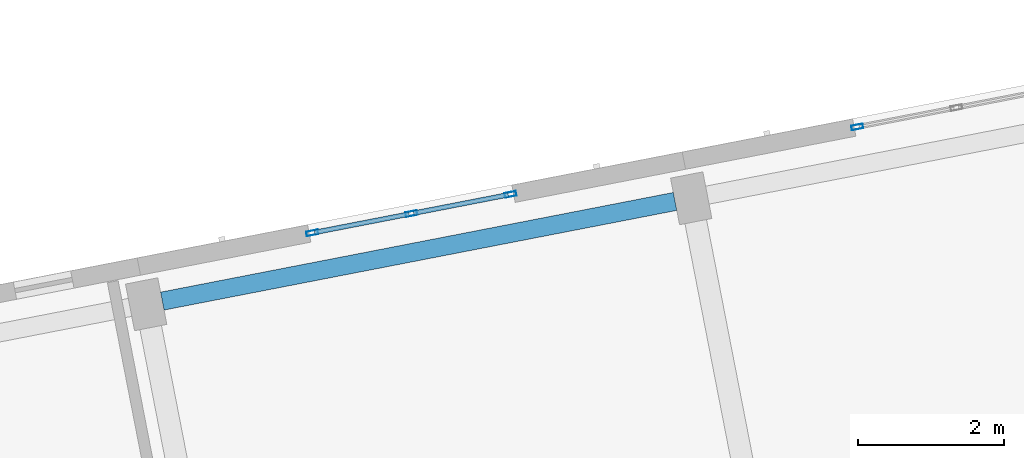
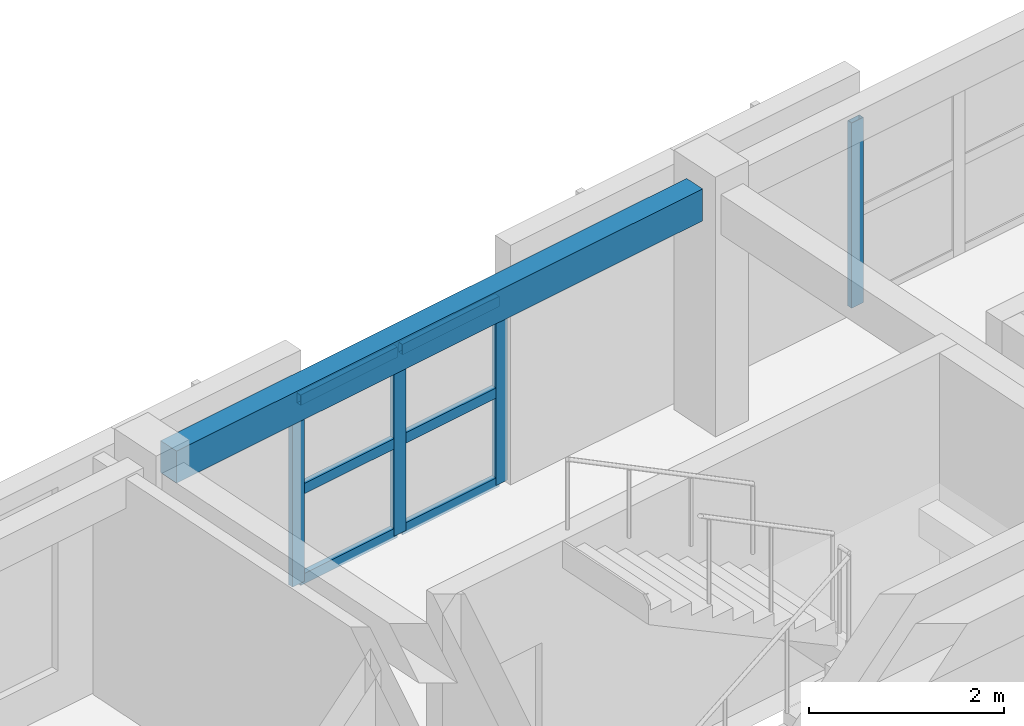
# One storey, part 8 of 65: 10 members, 1 beam, 2 elements without a shape of their own.
"""IFC4 building model written with IfcOpenShell, lengths in metres."""

from ifc_helpers import new_model, si_unit, direction, frame, origin, origin_2d, place, context, subcontext, project, spatial, rectangle, hollow_rectangle, extrude, material, material_profile, profile_set, type_object, element, aggregate, save


model = new_model("IFC4")

# Units and contexts
model_context = context("Model", 3, precision=1e-05, world=origin(), true_north=direction((0.0, 1.0)))
body_context = subcontext(model_context, "Body", "Model", "MODEL_VIEW")
ifc_project = project(units=[si_unit("LENGTHUNIT", "METRE"), si_unit("AREAUNIT", "SQUARE_METRE"), si_unit("VOLUMEUNIT", "CUBIC_METRE"), si_unit("PLANEANGLEUNIT", "RADIAN"), si_unit("MASSUNIT", "GRAM", prefix="KILO")], contexts=[model_context])

# Site, building, storey
site_placement = place(None, origin())
site = spatial("IfcSite", under=ifc_project, at=site_placement, CompositionType="ELEMENT")
building_placement = place(site_placement, origin())
building = spatial("IfcBuilding", under=site, at=building_placement, Name="Kestramere Prow Commons", CompositionType="ELEMENT")
storey_placement = place(building_placement, frame((0.0, 0.0, 21.39990234375)))
storey = spatial("IfcBuildingStorey", under=building, at=storey_placement, Name="L06", CompositionType="ELEMENT", Elevation=21.39990234375)

# Curtain wall, members
ifc_material_1 = material(Name="Anodised Aluminium and Low-E Glass", Category="aluminium")
curtain_wall_type = type_object("IfcCurtainWallType", Name="CW-03 Glazed Curtain Wall 2830x2320", PredefinedType="USERDEFINED", material=ifc_material_1)
curtain_wall_1_placement = place(storey_placement, origin())
curtain_wall_1 = element("IfcCurtainWall", 1, at=curtain_wall_1_placement, inside=storey, type_object=curtain_wall_type, Name="Block D L06 Stairwell Vertical Glazing 4", ObjectType="GLAZED CURTAIN WALL", PredefinedType="USERDEFINED")
ifc_material_2 = material(Name="Anodised Aluminium 6063-T6", Category="aluminium")
ifc_material_profile_1 = material_profile(ifc_material_2, hollow_rectangle(XDim=0.06494140625, YDim=0.159912109375, WallThickness=0.00390625, at=origin_2d()), Name="ALU-MUL 65x160")
ifc_profile_set_1 = profile_set([ifc_material_profile_1], Name="Anodised Aluminium 6063-T6")
member_type_1 = type_object("IfcMemberType", Name="CW-MUL-65x160", PredefinedType="MULLION", material=ifc_profile_set_1)
member_1_placement = place(storey_placement, frame((139.314208984375, 58.56689453125, 0.0), z_axis=(0.0, 0.0, 1.0), x_axis=(-0.190808835118, 0.981627214599, 0.0)))
member_1 = element("IfcMember", 2, at=member_1_placement, type_object=member_type_1, Name="CW-03 mullion 1", PredefinedType="MULLION", context=body_context, shape_type="SweptSolid", body=[
    extrude(hollow_rectangle(XDim=0.06494140625, YDim=0.159912109375, WallThickness=0.00390625, at=origin_2d()), origin(), (0.0, 0.0, 1.0), 2.320068359375),
])
member_2_placement = place(storey_placement, frame((140.671142578125, 58.830810546875, 0.0), z_axis=(0.0, 0.0, 1.0), x_axis=(-0.190808835118, 0.981627214599, 0.0)))
member_2 = element("IfcMember", 3, at=member_2_placement, type_object=member_type_1, Name="CW-03 mullion 2", PredefinedType="MULLION", context=body_context, shape_type="SweptSolid", body=[
    extrude(hollow_rectangle(XDim=0.06494140625, YDim=0.159912109375, WallThickness=0.00390625, at=origin_2d()), origin(), (0.0, 0.0, 1.0), 2.320068359375),
])
member_3_placement = place(storey_placement, frame((142.0283203125, 59.094482421875, 0.0), z_axis=(0.0, 0.0, 1.0), x_axis=(-0.190808835118, 0.981627214599, 0.0)))
member_3 = element("IfcMember", 4, at=member_3_placement, type_object=member_type_1, Name="CW-03 mullion 3", PredefinedType="MULLION", context=body_context, shape_type="SweptSolid", body=[
    extrude(hollow_rectangle(XDim=0.06494140625, YDim=0.159912109375, WallThickness=0.00390625, at=origin_2d()), origin(), (0.0, 0.0, 1.0), 2.320068359375),
])

# Curtain wall, member
curtain_wall_2_placement = place(storey_placement, origin())
curtain_wall_2 = element("IfcCurtainWall", 5, at=curtain_wall_2_placement, inside=storey, type_object=curtain_wall_type, Name="Block D L06 Stairwell Vertical Glazing 5", ObjectType="GLAZED CURTAIN WALL", PredefinedType="USERDEFINED")
member_4_placement = place(storey_placement, frame((146.7744140625, 60.01708984375, 0.0), z_axis=(0.0, 0.0, 1.0), x_axis=(-0.190808835118, 0.981627214599, 0.0)))
member_4 = element("IfcMember", 6, at=member_4_placement, type_object=member_type_1, Name="CW-03 mullion 1", PredefinedType="MULLION", context=body_context, shape_type="SweptSolid", body=[
    extrude(hollow_rectangle(XDim=0.06494140625, YDim=0.159912109375, WallThickness=0.00390625, at=origin_2d()), origin(), (0.0, 0.0, 1.0), 2.320068359375),
])
aggregate(curtain_wall_2, [member_4])

# Member
ifc_material_profile_2 = material_profile(ifc_material_2, hollow_rectangle(XDim=0.06494140625, YDim=0.1298828125, WallThickness=0.00390625, at=origin_2d()), Name="ALU-TRN 65x130")
ifc_profile_set_2 = profile_set([ifc_material_profile_2], Name="Anodised Aluminium 6063-T6")
member_type_2 = type_object("IfcMemberType", Name="CW-TRN-65x130", PredefinedType="USERDEFINED", material=ifc_profile_set_2)
member_5_placement = place(storey_placement, frame((139.345947265625, 58.5732421875, 0.03271484375), z_axis=(0.981655869186, 0.190661360776, 0.0), x_axis=(-0.190661360776, 0.981655869186, 0.0)))
member_5 = element("IfcMember", 7, at=member_5_placement, type_object=member_type_2, Name="CW-03 transom 1.1", ObjectType="TRANSOM", PredefinedType="USERDEFINED", context=body_context, shape_type="SweptSolid", body=[
    extrude(hollow_rectangle(XDim=0.06494140625, YDim=0.1298828125, WallThickness=0.00390625, at=origin_2d()), origin(), (0.0, 0.0, 1.0), 1.317626953125),
])

member_6_placement = place(storey_placement, frame((139.345947265625, 58.5732421875, 1.16015625), z_axis=(0.981655869186, 0.190661360776, 0.0), x_axis=(-0.190661360776, 0.981655869186, 0.0)))
member_6 = element("IfcMember", 8, at=member_6_placement, type_object=member_type_2, Name="CW-03 transom 1.2", ObjectType="TRANSOM", PredefinedType="USERDEFINED", context=body_context, shape_type="SweptSolid", body=[
    extrude(hollow_rectangle(XDim=0.06494140625, YDim=0.1298828125, WallThickness=0.00390625, at=origin_2d()), origin(), (0.0, 0.0, 1.0), 1.317626953125),
])

member_7_placement = place(storey_placement, frame((139.345947265625, 58.5732421875, 2.28759765625), z_axis=(0.981655869186, 0.190661360776, 0.0), x_axis=(-0.190661360776, 0.981655869186, 0.0)))
member_7 = element("IfcMember", 9, at=member_7_placement, type_object=member_type_2, Name="CW-03 transom 1.3", ObjectType="TRANSOM", PredefinedType="USERDEFINED", context=body_context, shape_type="SweptSolid", body=[
    extrude(hollow_rectangle(XDim=0.06494140625, YDim=0.1298828125, WallThickness=0.00390625, at=origin_2d()), origin(), (0.0, 0.0, 1.0), 1.317626953125),
])

member_8_placement = place(storey_placement, frame((140.703125, 58.8369140625, 0.03271484375), z_axis=(0.981614425191, 0.190874619208, 0.0), x_axis=(-0.190874619208, 0.981614425191, 0.0)))
member_8 = element("IfcMember", 10, at=member_8_placement, type_object=member_type_2, Name="CW-03 transom 2.1", ObjectType="TRANSOM", PredefinedType="USERDEFINED", context=body_context, shape_type="SweptSolid", body=[
    extrude(hollow_rectangle(XDim=0.06494140625, YDim=0.1298828125, WallThickness=0.00390625, at=origin_2d()), origin(), (0.0, 0.0, 1.0), 1.3173828125),
])

member_9_placement = place(storey_placement, frame((140.703125, 58.8369140625, 1.16015625), z_axis=(0.981614425191, 0.190874619208, 0.0), x_axis=(-0.190874619208, 0.981614425191, 0.0)))
member_9 = element("IfcMember", 11, at=member_9_placement, type_object=member_type_2, Name="CW-03 transom 2.2", ObjectType="TRANSOM", PredefinedType="USERDEFINED", context=body_context, shape_type="SweptSolid", body=[
    extrude(hollow_rectangle(XDim=0.06494140625, YDim=0.1298828125, WallThickness=0.00390625, at=origin_2d()), origin(), (0.0, 0.0, 1.0), 1.3173828125),
])

member_10_placement = place(storey_placement, frame((140.703125, 58.8369140625, 2.28759765625), z_axis=(0.981614425191, 0.190874619208, 0.0), x_axis=(-0.190874619208, 0.981614425191, 0.0)))
member_10 = element("IfcMember", 12, at=member_10_placement, type_object=member_type_2, Name="CW-03 transom 2.3", ObjectType="TRANSOM", PredefinedType="USERDEFINED", context=body_context, shape_type="SweptSolid", body=[
    extrude(hollow_rectangle(XDim=0.06494140625, YDim=0.1298828125, WallThickness=0.00390625, at=origin_2d()), origin(), (0.0, 0.0, 1.0), 1.3173828125),
])

aggregate(curtain_wall_1, [member_1, member_2, member_3, member_5, member_6, member_7, member_8, member_9, member_10])

# Beam
ifc_material_3 = material(Name="Precast concrete C40/50", Category="concrete")
ifc_material_profile_3 = material_profile(ifc_material_3, rectangle(XDim=0.25, YDim=0.39990234375, at=origin_2d()), Name="PC-SP 250x400")
ifc_profile_set_3 = profile_set([ifc_material_profile_3], Name="Precast concrete C40/50")
beam_type = type_object("IfcBeamType", Name="SP-EXT-01 PC-SP 250x400", PredefinedType="SPANDREL", material=ifc_profile_set_3)
beam_placement = place(storey_placement, frame((137.26220703125, 57.63330078125, 2.800048828125), z_axis=(0.981627472063, 0.190807510571, 0.0), x_axis=(-0.190807510571, 0.981627472063, 0.0)))
element("IfcBeam", 13, at=beam_placement, inside=storey, type_object=beam_type, Name="Block D L06 Longitudinal Beam 4-4", PredefinedType="SPANDREL", context=body_context, shape_type="SweptSolid", body=[
    extrude(rectangle(XDim=0.25, YDim=0.39990234375, at=origin_2d()), origin(), (0.0, 0.0, 1.0), 7.14990234375),
])

save(model, "model.ifc")
